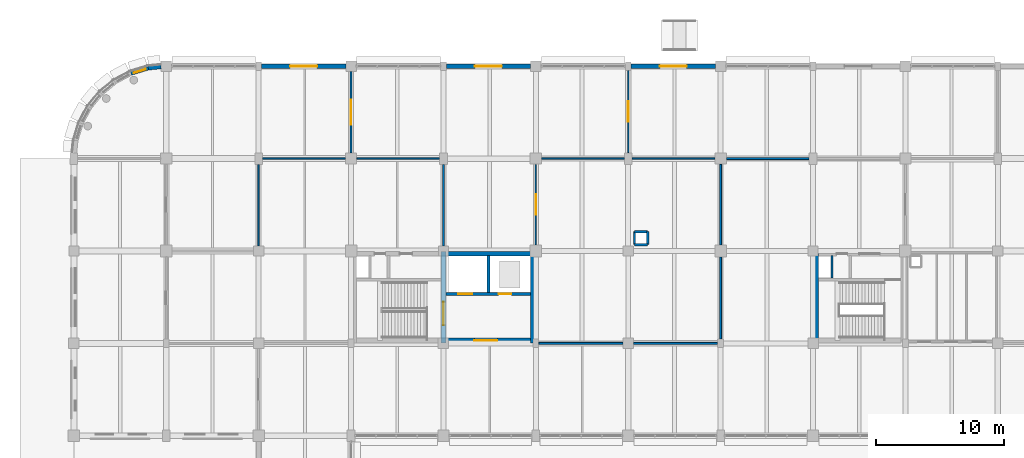
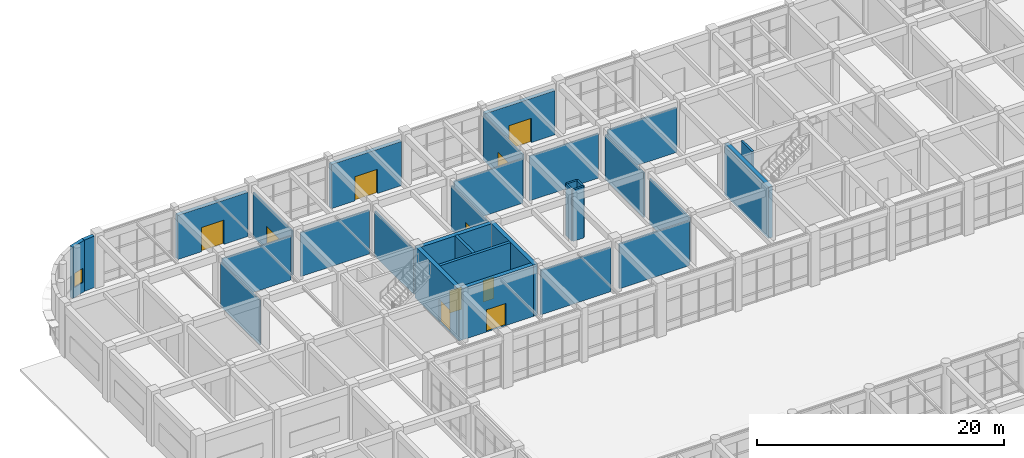
# One storey, part 142 of 160: 31 walls, 10 doors, 1 window, 11 openings.
"""IFC4 building model written with IfcOpenShell, lengths in metres."""

from ifc_helpers import new_model, si_unit, direction, frame, frame_2d, origin, place, context, subcontext, project, spatial, rectangle, extrude, material, layer, layer_set, type_object, element, fill, save


model = new_model("IFC4")

# Units and contexts
model_context = context("Model", 3, precision=1e-05, world=origin(), true_north=direction((0.0, 1.0)))
body_context = subcontext(model_context, "Body", "Model", "MODEL_VIEW")
ifc_project = project(units=[si_unit("LENGTHUNIT", "METRE"), si_unit("AREAUNIT", "SQUARE_METRE"), si_unit("VOLUMEUNIT", "CUBIC_METRE"), si_unit("PLANEANGLEUNIT", "RADIAN"), si_unit("MASSUNIT", "GRAM", prefix="KILO")], contexts=[model_context])

# Site, building, storey
site_placement = place(None, origin())
site = spatial("IfcSite", under=ifc_project, at=site_placement, CompositionType="ELEMENT")
building_placement = place(site_placement, origin())
building = spatial("IfcBuilding", under=site, at=building_placement, Name="Thalmaran Polytechnic", CompositionType="ELEMENT")
storey_placement = place(building_placement, origin())
storey = spatial("IfcBuildingStorey", under=building, at=storey_placement, Name="L00", CompositionType="ELEMENT", Elevation=0.0)

# Wall, opening, door
ifc_material_1 = material(Name="Precast concrete C40/50", Category="concrete")
ifc_layer_1 = layer(ifc_material_1, 0.360107421875, Name="Precast concrete C40/50")
ifc_layer_set_1 = layer_set([ifc_layer_1], Name="Precast concrete C40/50")
wall_type_1 = type_object("IfcWallType", Name="WL-EW01", PredefinedType="STANDARD", material=ifc_layer_set_1)
wall_1_placement = place(storey_placement, frame((14.625, 122.39990234375, 0.0), z_axis=(0.0, 0.0, 1.0), x_axis=(1.0, 0.0, 0.0)))
wall_1 = element("IfcWall", 1, at=wall_1_placement, inside=storey, type_object=wall_type_1, Name="Ground Entrance Portal Wall L00-030", PredefinedType="STANDARD", context=body_context, shape_type="SweptSolid", body=[
    extrude(rectangle(XDim=6.56494140625, YDim=0.360107421875, at=frame_2d((3.282470703125, 0.0))), origin(), (0.0, 0.0, 1.0), 4.3701171875),
])
opening_1_placement = place(wall_1_placement, frame((2.232421875, 0.0, 0.0)))
opening_1 = element("IfcOpeningElement", 2, at=opening_1_placement, cuts=wall_1, Name="Opening ED-09", PredefinedType="OPENING", context=body_context, shape_type="SweptSolid", body=[
    extrude(rectangle(XDim=2.10009765625, YDim=2.39990234375, at=frame_2d((1.050048828125, 1.199951171875))), frame((0.0, 0.18994140625, 0.0), z_axis=(0.0, -1.0, 0.0), x_axis=(1.0, 0.0, 0.0)), (0.0, 0.0, 1.0), 0.380126953125),
])
ifc_material_2 = material(Name="Anodised aluminium and safety glass", Category="aluminium")
door_type_1 = type_object("IfcDoorType", Name="DR-ED01", OperationType="NOTDEFINED", PredefinedType="DOOR", material=ifc_material_2)
door_1_placement = place(opening_1_placement, origin())
door_1 = element("IfcDoor", 3, at=door_1_placement, inside=storey, type_object=door_type_1, Name="Pedestrian Final Exit Door ED-09", OperationType="DOUBLE_DOOR_SINGLE_SWING", OverallHeight=2.39990234375, OverallWidth=2.10009765625, PredefinedType="DOOR", context=body_context, shape_type="SweptSolid", body=[
    extrude(rectangle(XDim=2.10009765625, YDim=2.39990234375, at=frame_2d((1.050048828125, 1.199951171875))), frame((0.0, 0.02490234375, 0.0), z_axis=(0.0, -1.0, 0.0), x_axis=(1.0, 0.0, 0.0)), (0.0, 0.0, 1.0), 0.050048828125),
])
fill(opening_1, door_1)

wall_2_placement = place(storey_placement, frame((29.02490234375, 122.39990234375, 0.0), z_axis=(0.0, 0.0, 1.0), x_axis=(1.0, 0.0, 0.0)))
wall_2 = element("IfcWall", 4, at=wall_2_placement, inside=storey, type_object=wall_type_1, Name="Ground Entrance Portal Wall L00-032", PredefinedType="STANDARD", context=body_context, shape_type="SweptSolid", body=[
    extrude(rectangle(XDim=6.565185546875, YDim=0.360107421875, at=frame_2d((3.28271484375, 0.0))), origin(), (0.0, 0.0, 1.0), 4.3701171875),
])
opening_2_placement = place(wall_2_placement, frame((2.232421875, 0.0, 0.0)))
opening_2 = element("IfcOpeningElement", 5, at=opening_2_placement, cuts=wall_2, Name="Opening ED-10", PredefinedType="OPENING", context=body_context, shape_type="SweptSolid", body=[
    extrude(rectangle(XDim=2.10009765625, YDim=2.39990234375, at=frame_2d((1.050048828125, 1.199951171875))), frame((0.0, 0.18994140625, 0.0), z_axis=(0.0, -1.0, 0.0), x_axis=(1.0, 0.0, 0.0)), (0.0, 0.0, 1.0), 0.380126953125),
])
door_2_placement = place(opening_2_placement, origin())
door_2 = element("IfcDoor", 6, at=door_2_placement, inside=storey, type_object=door_type_1, Name="Pedestrian Final Exit Door ED-10", OperationType="DOUBLE_DOOR_SINGLE_SWING", OverallHeight=2.39990234375, OverallWidth=2.10009765625, PredefinedType="DOOR", context=body_context, shape_type="SweptSolid", body=[
    extrude(rectangle(XDim=2.10009765625, YDim=2.39990234375, at=frame_2d((1.050048828125, 1.199951171875))), frame((0.0, 0.02490234375, 0.0), z_axis=(0.0, -1.0, 0.0), x_axis=(1.0, 0.0, 0.0)), (0.0, 0.0, 1.0), 0.050048828125),
])
fill(opening_2, door_2)

wall_3_placement = place(storey_placement, frame((43.425048828125, 122.39990234375, 0.0), z_axis=(0.0, 0.0, 1.0), x_axis=(1.0, 0.0, 0.0)))
wall_3 = element("IfcWall", 7, at=wall_3_placement, inside=storey, type_object=wall_type_1, Name="Ground Entrance Portal Wall L00-034", PredefinedType="STANDARD", context=body_context, shape_type="SweptSolid", body=[
    extrude(rectangle(XDim=6.56494140625, YDim=0.360107421875, at=frame_2d((3.282470703125, 0.0))), origin(), (0.0, 0.0, 1.0), 4.3701171875),
])
opening_3_placement = place(wall_3_placement, frame((2.232421875, 0.0, 0.0)))
opening_3 = element("IfcOpeningElement", 8, at=opening_3_placement, cuts=wall_3, Name="Opening ED-11", PredefinedType="OPENING", context=body_context, shape_type="SweptSolid", body=[
    extrude(rectangle(XDim=2.10009765625, YDim=2.39990234375, at=frame_2d((1.050048828125, 1.199951171875))), frame((0.0, 0.18994140625, 0.0), z_axis=(0.0, -1.0, 0.0), x_axis=(1.0, 0.0, 0.0)), (0.0, 0.0, 1.0), 0.380126953125),
])
door_3_placement = place(opening_3_placement, origin())
door_3 = element("IfcDoor", 9, at=door_3_placement, inside=storey, type_object=door_type_1, Name="Pedestrian Final Exit Door ED-11", OperationType="DOUBLE_DOOR_SINGLE_SWING", OverallHeight=2.39990234375, OverallWidth=2.10009765625, PredefinedType="DOOR", context=body_context, shape_type="SweptSolid", body=[
    extrude(rectangle(XDim=2.10009765625, YDim=2.39990234375, at=frame_2d((1.050048828125, 1.199951171875))), frame((0.0, 0.02490234375, 0.0), z_axis=(0.0, -1.0, 0.0), x_axis=(1.0, 0.0, 0.0)), (0.0, 0.0, 1.0), 0.050048828125),
])
fill(opening_3, door_3)

# Wall, opening, window
ifc_layer_2 = layer(ifc_material_1, 0.330078125, Name="Precast concrete C40/50")
ifc_layer_set_2 = layer_set([ifc_layer_2], Name="Precast concrete C40/50")
wall_type_2 = type_object("IfcWallType", Name="WL-EW02", PredefinedType="STANDARD", material=ifc_layer_set_2)
wall_4_placement = place(storey_placement, frame((4.444580078125, 121.85205078125, 0.0), z_axis=(0.0, 0.0, 1.0), x_axis=(0.95696037757, 0.290218599957, 0.0)))
wall_4 = element("IfcWall", 10, at=wall_4_placement, inside=storey, type_object=wall_type_2, Name="Exterior Precast Facade Wall L00-027", PredefinedType="STANDARD", context=body_context, shape_type="SweptSolid", body=[
    extrude(rectangle(XDim=1.41162109375, YDim=0.330078125, at=frame_2d((0.705810546875, 0.0))), origin(), (0.0, 0.0, 1.0), 5.090087890625),
])
opening_4_placement = place(wall_4_placement, frame((0.2255859375, 0.0, 1.0)))
opening_4 = element("IfcOpeningElement", 11, at=opening_4_placement, cuts=wall_4, Name="Opening CR01", PredefinedType="OPENING", context=body_context, shape_type="SweptSolid", body=[
    extrude(rectangle(XDim=0.9599609375, YDim=1.39990234375, at=frame_2d((0.47998046875, 0.699951171875))), frame((0.0, 0.175048828125, 0.0), z_axis=(0.0, -1.0, 0.0), x_axis=(1.0, 0.0, 0.0)), (0.0, 0.0, 1.0), 0.35009765625),
])
ifc_material_3 = material(Name="Thermally broken aluminium and double low-E glass", Category="aluminium")
window_type = type_object("IfcWindowType", Name="WN-CR01", PartitioningType="SINGLE_PANEL", PredefinedType="WINDOW", material=ifc_material_3)
window_placement = place(opening_4_placement, origin())
window = element("IfcWindow", 12, at=window_placement, inside=storey, type_object=window_type, Name="Curved Prow Ribbon Window W-0024", OverallHeight=1.39990234375, OverallWidth=0.9599609375, PartitioningType="SINGLE_PANEL", PredefinedType="WINDOW", context=body_context, shape_type="SweptSolid", body=[
    extrude(rectangle(XDim=0.9599609375, YDim=1.39990234375, at=frame_2d((0.47998046875, 0.699951171875))), frame((0.0, -0.010009765625, 0.0), z_axis=(0.0, -1.0, 0.0), x_axis=(1.0, 0.0, 0.0)), (0.0, 0.0, 1.0), 0.06005859375),
])
fill(opening_4, window)

# Walls
wall_5_placement = place(storey_placement, frame((5.79541015625, 122.26171875, 0.0), z_axis=(0.0, 0.0, 1.0), x_axis=(0.995185723262, 0.098007021252, 0.0)))
element("IfcWall", 13, at=wall_5_placement, inside=storey, type_object=wall_type_2, Name="Exterior Precast Facade Wall L00-028", PredefinedType="STANDARD", context=body_context, shape_type="SweptSolid", body=[
    extrude(rectangle(XDim=1.00146484375, YDim=0.330078125, at=frame_2d((0.500732421875, 0.0))), origin(), (0.0, 0.0, 1.0), 5.090087890625),
])
ifc_material_4 = material(Name="Autoclaved aerated masonry", Category="masonry")
ifc_layer_3 = layer(ifc_material_4, 0.25, Name="Autoclaved aerated masonry")
ifc_layer_set_3 = layer_set([ifc_layer_3], Name="Autoclaved aerated masonry")
wall_type_3 = type_object("IfcWallType", Name="WL-IW01", PredefinedType="PARTITIONING", material=ifc_layer_set_3)
wall_6_placement = place(storey_placement, frame((32.300048828125, 104.780029296875, 0.0), z_axis=(0.0, 0.0, 1.0), x_axis=(0.0, 1.0, 0.0)))
element("IfcWall", 14, at=wall_6_placement, inside=storey, type_object=wall_type_3, Name="Core C2 Shaft Dividing Wall L00", PredefinedType="PARTITIONING", context=body_context, shape_type="SweptSolid", body=[
    extrude(rectangle(XDim=2.869873046875, YDim=0.25, at=frame_2d((1.43505859375, 0.0))), origin(), (0.0, 0.0, 1.0), 5.090087890625),
])
ifc_layer_4 = layer(ifc_material_4, 0.179931640625, Name="Autoclaved aerated masonry")
ifc_layer_set_4 = layer_set([ifc_layer_4], Name="Autoclaved aerated masonry")
wall_type_4 = type_object("IfcWallType", Name="WL-IW04", PredefinedType="PARTITIONING", material=ifc_layer_set_4)
wall_7_placement = place(storey_placement, frame((59.080078125, 105.8798828125, 0.0), z_axis=(0.0, 0.0, 1.0), x_axis=(0.0, 1.0, 0.0)))
element("IfcWall", 15, at=wall_7_placement, inside=storey, type_object=wall_type_4, Name="Core C6 Riser Shaft Enclosure Wall L00", PredefinedType="PARTITIONING", context=body_context, shape_type="SweptSolid", body=[
    extrude(rectangle(XDim=1.760009765625, YDim=0.179931640625, at=frame_2d((0.8798828125, 0.0))), origin(), (0.0, 0.0, 1.0), 5.090087890625),
])
for number, where, z_axis, x_axis, name in (
    (16, (43.68994140625, 108.489990234375, 0.0), (0.0, 0.0, 1.0), (1.0, 0.0, 0.0), "Fume Exhaust Riser Shaft Wall L00 (6,15)-S"),
    (17, (44.7099609375, 108.489990234375, 0.0), (0.0, 0.0, 1.0), (0.0, 1.0, 0.0), "Fume Exhaust Riser Shaft Wall L00 (6,15)-E"),
    (18, (44.7099609375, 109.510009765625, 0.0), (0.0, 0.0, 1.0), (-1.0, 0.0, 0.0), "Fume Exhaust Riser Shaft Wall L00 (6,15)-N"),
    (19, (43.68994140625, 109.510009765625, 0.0), (0.0, 0.0, 1.0), (0.0, -1.0, 0.0), "Fume Exhaust Riser Shaft Wall L00 (6,15)-W"),
):
    element("IfcWall", number, at=place(storey_placement, frame(where, z_axis=z_axis, x_axis=x_axis)), inside=storey, type_object=wall_type_4, Name=name, PredefinedType="PARTITIONING", context=body_context, shape_type="SweptSolid", body=[
        extrude(rectangle(XDim=1.02001953125, YDim=0.179931640625, at=frame_2d((0.510009765625, 0.0))), origin(), (0.0, 0.0, 1.0), 5.090087890625),
    ])
ifc_material_5 = material(Name="Gypsum acoustic partition")
ifc_layer_5 = layer(ifc_material_5, 0.14501953125, Name="Gypsum acoustic partition")
ifc_layer_set_5 = layer_set([ifc_layer_5], Name="Gypsum acoustic partition")
wall_type_5 = type_object("IfcWallType", Name="WL-IW06", PredefinedType="PARTITIONING", material=ifc_layer_set_5)
wall_8_placement = place(storey_placement, frame((36.22998046875, 100.800048828125, 0.0), z_axis=(0.0, 0.0, 1.0), x_axis=(1.0, 0.0, 0.0)))
element("IfcWall", 20, at=wall_8_placement, inside=storey, type_object=wall_type_5, Name="Interior Partition IW06 L00-053", PredefinedType="PARTITIONING", context=body_context, shape_type="SweptSolid", body=[
    extrude(rectangle(XDim=6.554931640625, YDim=0.14501953125, at=frame_2d((3.27734375, 0.0))), origin(), (0.0, 0.0, 1.0), 4.389892578125),
])
wall_9_placement = place(storey_placement, frame((43.614990234375, 100.800048828125, 0.0), z_axis=(0.0, 0.0, 1.0), x_axis=(1.0, 0.0, 0.0)))
element("IfcWall", 21, at=wall_9_placement, inside=storey, type_object=wall_type_5, Name="Interior Partition IW06 L00-060", PredefinedType="PARTITIONING", context=body_context, shape_type="SweptSolid", body=[
    extrude(rectangle(XDim=6.554931640625, YDim=0.14501953125, at=frame_2d((3.27734375, 0.0))), origin(), (0.0, 0.0, 1.0), 4.429931640625),
])
wall_10_placement = place(storey_placement, frame((50.39990234375, 101.1298828125, 0.0), z_axis=(0.0, 0.0, 1.0), x_axis=(0.0, 1.0, 0.0)))
element("IfcWall", 22, at=wall_10_placement, inside=storey, type_object=wall_type_5, Name="Interior Partition IW06 L00-061", PredefinedType="PARTITIONING", context=body_context, shape_type="SweptSolid", body=[
    extrude(rectangle(XDim=6.4150390625, YDim=0.14501953125, at=frame_2d((3.20751953125, 0.0))), origin(), (0.0, 0.0, 1.0), 4.455078125),
])
wall_11_placement = place(storey_placement, frame((50.39990234375, 108.455078125, 0.0), z_axis=(0.0, 0.0, 1.0), x_axis=(0.0, 1.0, 0.0)))
element("IfcWall", 23, at=wall_11_placement, inside=storey, type_object=wall_type_5, Name="Interior Partition IW06 L00-062", PredefinedType="PARTITIONING", context=body_context, shape_type="SweptSolid", body=[
    extrude(rectangle(XDim=6.2998046875, YDim=0.14501953125, at=frame_2d((3.14990234375, 0.0))), origin(), (0.0, 0.0, 1.0), 4.405029296875),
])
wall_12_placement = place(storey_placement, frame((50.844970703125, 115.199951171875, 0.0), z_axis=(0.0, 0.0, 1.0), x_axis=(1.0, 0.0, 0.0)))
element("IfcWall", 24, at=wall_12_placement, inside=storey, type_object=wall_type_5, Name="Interior Partition IW06 L00-070", PredefinedType="PARTITIONING", context=body_context, shape_type="SweptSolid", body=[
    extrude(rectangle(XDim=6.449951171875, YDim=0.14501953125, at=frame_2d((3.22509765625, 0.0))), origin(), (0.0, 0.0, 1.0), 4.43994140625),
])

# Wall, opening, door
ifc_layer_6 = layer(ifc_material_5, 0.1298828125, Name="Gypsum acoustic partition")
ifc_layer_set_6 = layer_set([ifc_layer_6], Name="Gypsum acoustic partition")
wall_type_6 = type_object("IfcWallType", Name="WL-IW07", PredefinedType="PARTITIONING", material=ifc_layer_set_6)
wall_13_placement = place(storey_placement, frame((21.60009765625, 115.64501953125, 0.0), z_axis=(0.0, 0.0, 1.0), x_axis=(0.0, 1.0, 0.0)))
wall_13 = element("IfcWall", 25, at=wall_13_placement, inside=storey, type_object=wall_type_6, Name="Interior Partition IW07 L00-036", PredefinedType="PARTITIONING", context=body_context, shape_type="SweptSolid", body=[
    extrude(rectangle(XDim=6.340087890625, YDim=0.1298828125, at=frame_2d((3.169921875, 0.0))), origin(), (0.0, 0.0, 1.0), 4.405029296875),
])
opening_5_placement = place(wall_13_placement, frame((2.2099609375, 0.0, 0.0)))
opening_5 = element("IfcOpeningElement", 26, at=opening_5_placement, cuts=wall_13, Name="Opening D-L00-028-2-04-1", PredefinedType="OPENING", context=body_context, shape_type="SweptSolid", body=[
    extrude(rectangle(XDim=1.919921875, YDim=2.35009765625, at=frame_2d((0.9599609375, 1.175048828125))), frame((0.0, 0.074951171875, 0.0), z_axis=(0.0, -1.0, 0.0), x_axis=(1.0, 0.0, 0.0)), (0.0, 0.0, 1.0), 0.14990234375),
])
ifc_material_6 = material(Name="Acoustic hardwood and vision glass", Category="wood")
door_type_2 = type_object("IfcDoorType", Name="DR-ZD01", OperationType="NOTDEFINED", PredefinedType="DOOR", material=ifc_material_6)
door_4_placement = place(opening_5_placement, origin())
door_4 = element("IfcDoor", 27, at=door_4_placement, inside=storey, type_object=door_type_2, Name="Urban Design Studio L00-04 Door 1", OperationType="SINGLE_SWING_RIGHT", OverallHeight=2.35009765625, OverallWidth=1.919921875, PredefinedType="DOOR", context=body_context, shape_type="SweptSolid", body=[
    extrude(rectangle(XDim=1.919921875, YDim=2.35009765625, at=frame_2d((0.9599609375, 1.175048828125))), frame((0.0, 0.02490234375, 0.0), z_axis=(0.0, -1.0, 0.0), x_axis=(1.0, 0.0, 0.0)), (0.0, 0.0, 1.0), 0.050048828125),
])
fill(opening_5, door_4)

# Wall
wall_14_placement = place(storey_placement, frame((28.800048828125, 108.405029296875, 0.0), z_axis=(0.0, 0.0, 1.0), x_axis=(0.0, 1.0, 0.0)))
element("IfcWall", 28, at=wall_14_placement, inside=storey, type_object=wall_type_6, Name="Interior Partition IW07 L00-042", PredefinedType="PARTITIONING", context=body_context, shape_type="SweptSolid", body=[
    extrude(rectangle(XDim=6.340087890625, YDim=0.1298828125, at=frame_2d((3.169921875, 0.0))), origin(), (0.0, 0.0, 1.0), 4.405029296875),
])

# Wall, opening, door
wall_15_placement = place(storey_placement, frame((36.0, 108.455078125, 0.0), z_axis=(0.0, 0.0, 1.0), x_axis=(0.0, 1.0, 0.0)))
wall_15 = element("IfcWall", 29, at=wall_15_placement, inside=storey, type_object=wall_type_6, Name="Interior Partition IW07 L00-048", PredefinedType="PARTITIONING", context=body_context, shape_type="SweptSolid", body=[
    extrude(rectangle(XDim=6.2998046875, YDim=0.1298828125, at=frame_2d((3.14990234375, 0.0))), origin(), (0.0, 0.0, 1.0), 4.405029296875),
])
opening_6_placement = place(wall_15_placement, frame((2.35009765625, 0.0, 0.0)))
opening_6 = element("IfcOpeningElement", 30, at=opening_6_placement, cuts=wall_15, Name="Opening D-L00-029-2-05-1", PredefinedType="OPENING", context=body_context, shape_type="SweptSolid", body=[
    extrude(rectangle(XDim=1.60009765625, YDim=2.199951171875, at=frame_2d((0.800048828125, 1.10009765625))), frame((0.0, 0.074951171875, 0.0), z_axis=(0.0, -1.0, 0.0), x_axis=(1.0, 0.0, 0.0)), (0.0, 0.0, 1.0), 0.14990234375),
])
ifc_material_7 = material(Name="Powder-coated fire-rated steel", Category="steel")
door_type_3 = type_object("IfcDoorType", Name="DR-FD05", OperationType="NOTDEFINED", PredefinedType="DOOR", material=ifc_material_7)
door_5_placement = place(opening_6_placement, origin())
door_5 = element("IfcDoor", 31, at=door_5_placement, inside=storey, type_object=door_type_3, Name="Technical Reference Library Reading Room L00-05 Door 1", OperationType="DOUBLE_DOOR_SINGLE_SWING", OverallHeight=2.199951171875, OverallWidth=1.60009765625, PredefinedType="DOOR", context=body_context, shape_type="SweptSolid", body=[
    extrude(rectangle(XDim=1.60009765625, YDim=2.199951171875, at=frame_2d((0.800048828125, 1.10009765625))), frame((0.0, 0.02490234375, 0.0), z_axis=(0.0, -1.0, 0.0), x_axis=(1.0, 0.0, 0.0)), (0.0, 0.0, 1.0), 0.050048828125),
])
fill(opening_6, door_5)

# Walls
wall_16_placement = place(storey_placement, frame((36.445068359375, 115.199951171875, 0.0), z_axis=(0.0, 0.0, 1.0), x_axis=(1.0, 0.0, 0.0)))
element("IfcWall", 32, at=wall_16_placement, inside=storey, type_object=wall_type_6, Name="Interior Partition IW07 L00-054", PredefinedType="PARTITIONING", context=body_context, shape_type="SweptSolid", body=[
    extrude(rectangle(XDim=6.449951171875, YDim=0.1298828125, at=frame_2d((3.22509765625, 0.0))), origin(), (0.0, 0.0, 1.0), 4.389892578125),
])
ifc_layer_7 = layer(ifc_material_5, 0.114990234375, Name="Gypsum acoustic partition")
ifc_layer_set_7 = layer_set([ifc_layer_7], Name="Gypsum acoustic partition")
wall_type_7 = type_object("IfcWallType", Name="WL-IW08", PredefinedType="PARTITIONING", material=ifc_layer_set_7)
wall_17_placement = place(storey_placement, frame((14.39990234375, 108.405029296875, 0.0), z_axis=(0.0, 0.0, 1.0), x_axis=(0.0, 1.0, 0.0)))
element("IfcWall", 33, at=wall_17_placement, inside=storey, type_object=wall_type_7, Name="Interior Partition IW08 L00-029", PredefinedType="PARTITIONING", context=body_context, shape_type="SweptSolid", body=[
    extrude(rectangle(XDim=6.340087890625, YDim=0.114990234375, at=frame_2d((3.169921875, 0.0))), origin(), (0.0, 0.0, 1.0), 4.405029296875),
])
wall_18_placement = place(storey_placement, frame((14.705078125, 115.199951171875, 0.0), z_axis=(0.0, 0.0, 1.0), x_axis=(1.0, 0.0, 0.0)))
element("IfcWall", 34, at=wall_18_placement, inside=storey, type_object=wall_type_7, Name="Interior Partition IW08 L00-035", PredefinedType="PARTITIONING", context=body_context, shape_type="SweptSolid", body=[
    extrude(rectangle(XDim=6.449951171875, YDim=0.114990234375, at=frame_2d((3.22509765625, 0.0))), origin(), (0.0, 0.0, 1.0), 4.35009765625),
])
wall_19_placement = place(storey_placement, frame((22.044921875, 115.199951171875, 0.0), z_axis=(0.0, 0.0, 1.0), x_axis=(1.0, 0.0, 0.0)))
element("IfcWall", 35, at=wall_19_placement, inside=storey, type_object=wall_type_7, Name="Interior Partition IW08 L00-043", PredefinedType="PARTITIONING", context=body_context, shape_type="SweptSolid", body=[
    extrude(rectangle(XDim=6.4501953125, YDim=0.114990234375, at=frame_2d((3.22509765625, 0.0))), origin(), (0.0, 0.0, 1.0), 4.364990234375),
])

# Wall, opening, door
wall_20_placement = place(storey_placement, frame((43.199951171875, 115.655029296875, 0.0), z_axis=(0.0, 0.0, 1.0), x_axis=(0.0, 1.0, 0.0)))
wall_20 = element("IfcWall", 36, at=wall_20_placement, inside=storey, type_object=wall_type_7, Name="Interior Partition IW08 L00-055", PredefinedType="PARTITIONING", context=body_context, shape_type="SweptSolid", body=[
    extrude(rectangle(XDim=6.4150390625, YDim=0.114990234375, at=frame_2d((3.20751953125, 0.0))), origin(), (0.0, 0.0, 1.0), 4.405029296875),
])
opening_7_placement = place(wall_20_placement, frame((2.407470703125, 0.0, 0.0)))
opening_7 = element("IfcOpeningElement", 37, at=opening_7_placement, cuts=wall_20, Name="Opening D-L00-030-2-06-1", PredefinedType="OPENING", context=body_context, shape_type="SweptSolid", body=[
    extrude(rectangle(XDim=1.60009765625, YDim=2.199951171875, at=frame_2d((0.800048828125, 1.10009765625))), frame((0.0, 0.0673828125, 0.0), z_axis=(0.0, -1.0, 0.0), x_axis=(1.0, 0.0, 0.0)), (0.0, 0.0, 1.0), 0.135009765625),
])
door_6_placement = place(opening_7_placement, origin())
door_6 = element("IfcDoor", 38, at=door_6_placement, inside=storey, type_object=door_type_3, Name="Polytechnic Library Reading Hall L00-06 Door 1", OperationType="DOUBLE_DOOR_SINGLE_SWING", OverallHeight=2.199951171875, OverallWidth=1.60009765625, PredefinedType="DOOR", context=body_context, shape_type="SweptSolid", body=[
    extrude(rectangle(XDim=1.60009765625, YDim=2.199951171875, at=frame_2d((0.800048828125, 1.10009765625))), frame((0.0, 0.02490234375, 0.0), z_axis=(0.0, -1.0, 0.0), x_axis=(1.0, 0.0, 0.0)), (0.0, 0.0, 1.0), 0.050048828125),
])
fill(opening_7, door_6)

# Wall
wall_21_placement = place(storey_placement, frame((43.5048828125, 115.199951171875, 0.0), z_axis=(0.0, 0.0, 1.0), x_axis=(1.0, 0.0, 0.0)))
element("IfcWall", 39, at=wall_21_placement, inside=storey, type_object=wall_type_7, Name="Interior Partition IW08 L00-063", PredefinedType="PARTITIONING", context=body_context, shape_type="SweptSolid", body=[
    extrude(rectangle(XDim=6.4501953125, YDim=0.114990234375, at=frame_2d((3.22509765625, 0.0))), origin(), (0.0, 0.0, 1.0), 4.429931640625),
])

# Wall, opening, door
ifc_material_8 = material(Name="Concrete C50/60", Category="concrete")
ifc_layer_8 = layer(ifc_material_8, 0.3798828125, Name="Concrete C50/60")
ifc_layer_set_8 = layer_set([ifc_layer_8], Name="Concrete C50/60")
wall_type_8 = type_object("IfcWallType", Name="WL-SW02", PredefinedType="SHEAR", material=ifc_layer_set_8)
wall_22_placement = place(storey_placement, frame((28.800048828125, 100.830078125, 0.0), z_axis=(0.0, 0.0, 1.0), x_axis=(0.0, 1.0, 0.0)))
wall_22 = element("IfcWall", 40, at=wall_22_placement, inside=storey, type_object=wall_type_8, Name="Core C2 Stair-Lobby Dividing Shear Wall L00", PredefinedType="SHEAR", context=body_context, shape_type="SweptSolid", body=[
    extrude(rectangle(XDim=7.139892578125, YDim=0.3798828125, at=frame_2d((3.56982421875, 0.0))), origin(), (0.0, 0.0, 1.0), 5.090087890625),
])
opening_8_placement = place(wall_22_placement, frame((1.39990234375, 0.0, 0.0)))
opening_8 = element("IfcOpeningElement", 41, at=opening_8_placement, cuts=wall_22, Name="Opening SD-ST2-L00", PredefinedType="OPENING", context=body_context, shape_type="SweptSolid", body=[
    extrude(rectangle(XDim=1.800048828125, YDim=2.199951171875, at=frame_2d((0.89990234375, 1.10009765625))), frame((0.0, 0.199951171875, 0.0), z_axis=(0.0, -1.0, 0.0), x_axis=(1.0, 0.0, 0.0)), (0.0, 0.0, 1.0), 0.39990234375),
])
door_type_4 = type_object("IfcDoorType", Name="DR-FD03", OperationType="NOTDEFINED", PredefinedType="DOOR", material=ifc_material_7)
door_7_placement = place(opening_8_placement, frame((1.800048828125, 0.0, 0.0), z_axis=(0.0, 0.0, 1.0), x_axis=(-1.0, 0.0, 0.0)))
door_7 = element("IfcDoor", 42, at=door_7_placement, inside=storey, type_object=door_type_4, Name="Firefighting Lobby to Exit Stair Door ST2 L00", OperationType="SINGLE_SWING_LEFT", OverallHeight=2.199951171875, OverallWidth=1.800048828125, PredefinedType="DOOR", context=body_context, shape_type="SweptSolid", body=[
    extrude(rectangle(XDim=1.800048828125, YDim=2.199951171875, at=frame_2d((0.89990234375, 1.10009765625))), frame((0.0, 0.02490234375, 0.0), z_axis=(0.0, -1.0, 0.0), x_axis=(1.0, 0.0, 0.0)), (0.0, 0.0, 1.0), 0.050048828125),
])
fill(opening_8, door_7)

wall_23_placement = place(storey_placement, frame((28.989990234375, 101.02001953125, 0.0), z_axis=(0.0, 0.0, 1.0), x_axis=(1.0, 0.0, 0.0)))
wall_23 = element("IfcWall", 43, at=wall_23_placement, inside=storey, type_object=wall_type_8, Name="Core C2 Lobby South Wall L00", PredefinedType="SHEAR", context=body_context, shape_type="SweptSolid", body=[
    extrude(rectangle(XDim=6.60009765625, YDim=0.3798828125, at=frame_2d((3.300048828125, 0.0))), origin(), (0.0, 0.0, 1.0), 5.090087890625),
])
opening_9_placement = place(wall_23_placement, frame((2.219970703125, 0.0, 0.0)))
opening_9 = element("IfcOpeningElement", 44, at=opening_9_placement, cuts=wall_23, Name="Opening FD-C2-L00", PredefinedType="OPENING", context=body_context, shape_type="SweptSolid", body=[
    extrude(rectangle(XDim=1.800048828125, YDim=2.199951171875, at=frame_2d((0.89990234375, 1.10009765625))), frame((0.0, 0.199951171875, 0.0), z_axis=(0.0, -1.0, 0.0), x_axis=(1.0, 0.0, 0.0)), (0.0, 0.0, 1.0), 0.39990234375),
])
door_type_5 = type_object("IfcDoorType", Name="DR-FD01", OperationType="NOTDEFINED", PredefinedType="DOOR", material=ifc_material_7)
door_8_placement = place(opening_9_placement, frame((1.800048828125, 0.0, 0.0), z_axis=(0.0, 0.0, 1.0), x_axis=(-1.0, 0.0, 0.0)))
door_8 = element("IfcDoor", 45, at=door_8_placement, inside=storey, type_object=door_type_5, Name="Firefighting Lift Lobby Entrance Door C2 L00", OperationType="DOUBLE_DOOR_SINGLE_SWING", OverallHeight=2.199951171875, OverallWidth=1.800048828125, PredefinedType="DOOR", context=body_context, shape_type="SweptSolid", body=[
    extrude(rectangle(XDim=1.800048828125, YDim=2.199951171875, at=frame_2d((0.89990234375, 1.10009765625))), frame((0.0, 0.02490234375, 0.0), z_axis=(0.0, -1.0, 0.0), x_axis=(1.0, 0.0, 0.0)), (0.0, 0.0, 1.0), 0.050048828125),
])
fill(opening_9, door_8)

# Walls
wall_24_placement = place(storey_placement, frame((35.780029296875, 100.830078125, 0.0), z_axis=(0.0, 0.0, 1.0), x_axis=(0.0, 1.0, 0.0)))
element("IfcWall", 46, at=wall_24_placement, inside=storey, type_object=wall_type_8, Name="Core C2 Lobby East Shear Wall L00", PredefinedType="SHEAR", context=body_context, shape_type="SweptSolid", body=[
    extrude(rectangle(XDim=7.139892578125, YDim=0.3798828125, at=frame_2d((3.56982421875, 0.0))), origin(), (0.0, 0.0, 1.0), 5.090087890625),
])
wall_25_placement = place(storey_placement, frame((28.989990234375, 107.780029296875, 0.0), z_axis=(0.0, 0.0, 1.0), x_axis=(1.0, 0.0, 0.0)))
element("IfcWall", 47, at=wall_25_placement, inside=storey, type_object=wall_type_8, Name="Core C2 Lift Shaft Back Shear Wall L00", PredefinedType="SHEAR", context=body_context, shape_type="SweptSolid", body=[
    extrude(rectangle(XDim=6.60009765625, YDim=0.3798828125, at=frame_2d((3.300048828125, 0.0))), origin(), (0.0, 0.0, 1.0), 5.090087890625),
])

# Wall, openings, doors
wall_26_placement = place(storey_placement, frame((28.989990234375, 104.64990234375, 0.0), z_axis=(0.0, 0.0, 1.0), x_axis=(1.0, 0.0, 0.0)))
wall_26 = element("IfcWall", 48, at=wall_26_placement, inside=storey, type_object=wall_type_8, Name="Core C2 Lift Landing Front Wall L00", PredefinedType="SHEAR", context=body_context, shape_type="SweptSolid", body=[
    extrude(rectangle(XDim=6.60009765625, YDim=0.260009765625, at=frame_2d((3.300048828125, 0.0))), origin(), (0.0, 0.0, 1.0), 5.090087890625),
])
opening_10_placement = place(wall_26_placement, frame((0.949951171875, 0.0, 0.0)))
opening_10 = element("IfcOpeningElement", 49, at=opening_10_placement, cuts=wall_26, Name="Opening LD-FL-02-L00", PredefinedType="OPENING", context=body_context, shape_type="SweptSolid", body=[
    extrude(rectangle(XDim=1.10009765625, YDim=2.199951171875, at=frame_2d((0.550048828125, 1.10009765625))), frame((0.0, 0.139892578125, 0.0), z_axis=(0.0, -1.0, 0.0), x_axis=(1.0, 0.0, 0.0)), (0.0, 0.0, 1.0), 0.280029296875),
])
opening_11_placement = place(wall_26_placement, frame((4.10009765625, 0.0, 0.0)))
opening_11 = element("IfcOpeningElement", 50, at=opening_11_placement, cuts=wall_26, Name="Opening LD-PL-03-L00", PredefinedType="OPENING", context=body_context, shape_type="SweptSolid", body=[
    extrude(rectangle(XDim=1.0, YDim=2.14990234375, at=frame_2d((0.5, 1.074951171875))), frame((0.0, 0.139892578125, 0.0), z_axis=(0.0, -1.0, 0.0), x_axis=(1.0, 0.0, 0.0)), (0.0, 0.0, 1.0), 0.280029296875),
])
ifc_material_9 = material(Name="Brushed stainless steel lift door", Category="steel")
door_type_6 = type_object("IfcDoorType", Name="DR-LD01", OperationType="NOTDEFINED", PredefinedType="DOOR", material=ifc_material_9)
door_9_placement = place(opening_10_placement, origin())
door_9 = element("IfcDoor", 51, at=door_9_placement, inside=storey, type_object=door_type_6, Name="Lift Landing Door FL-02 L00", OperationType="SLIDING_TO_LEFT", OverallHeight=2.199951171875, OverallWidth=1.10009765625, PredefinedType="DOOR", context=body_context, shape_type="SweptSolid", body=[
    extrude(rectangle(XDim=1.10009765625, YDim=2.199951171875, at=frame_2d((0.550048828125, 1.10009765625))), frame((0.0, 0.02490234375, 0.0), z_axis=(0.0, -1.0, 0.0), x_axis=(1.0, 0.0, 0.0)), (0.0, 0.0, 1.0), 0.050048828125),
])
fill(opening_10, door_9)
door_type_7 = type_object("IfcDoorType", Name="DR-LD02", OperationType="NOTDEFINED", PredefinedType="DOOR", material=ifc_material_9)
door_10_placement = place(opening_11_placement, origin())
door_10 = element("IfcDoor", 52, at=door_10_placement, inside=storey, type_object=door_type_7, Name="Lift Landing Door PL-03 L00", OperationType="SLIDING_TO_RIGHT", OverallHeight=2.14990234375, OverallWidth=1.0, PredefinedType="DOOR", context=body_context, shape_type="SweptSolid", body=[
    extrude(rectangle(XDim=1.0, YDim=2.14990234375, at=frame_2d((0.5, 1.074951171875))), frame((0.0, 0.02490234375, 0.0), z_axis=(0.0, -1.0, 0.0), x_axis=(1.0, 0.0, 0.0)), (0.0, 0.0, 1.0), 0.050048828125),
])
fill(opening_11, door_10)

# Wall
wall_27_placement = place(storey_placement, frame((57.820068359375, 107.969970703125, 0.0), z_axis=(0.0, 0.0, 1.0), x_axis=(0.0, -1.0, 0.0)))
element("IfcWall", 53, at=wall_27_placement, inside=storey, type_object=wall_type_8, Name="Core C6 West Shear Wall L00", PredefinedType="SHEAR", context=body_context, shape_type="SweptSolid", body=[
    extrude(rectangle(XDim=7.139892578125, YDim=0.3798828125, at=frame_2d((3.56982421875, 0.0))), origin(), (0.0, 0.0, 1.0), 5.090087890625),
])

save(model, "model.ifc")
